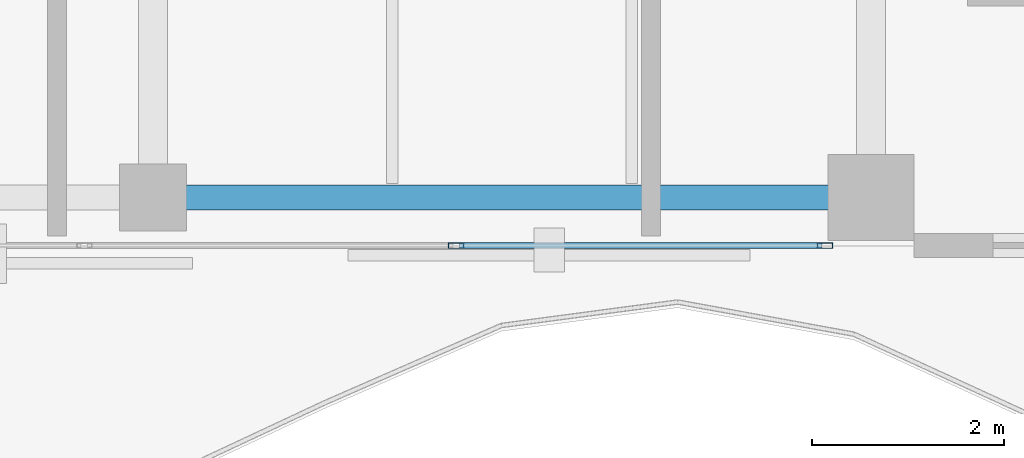
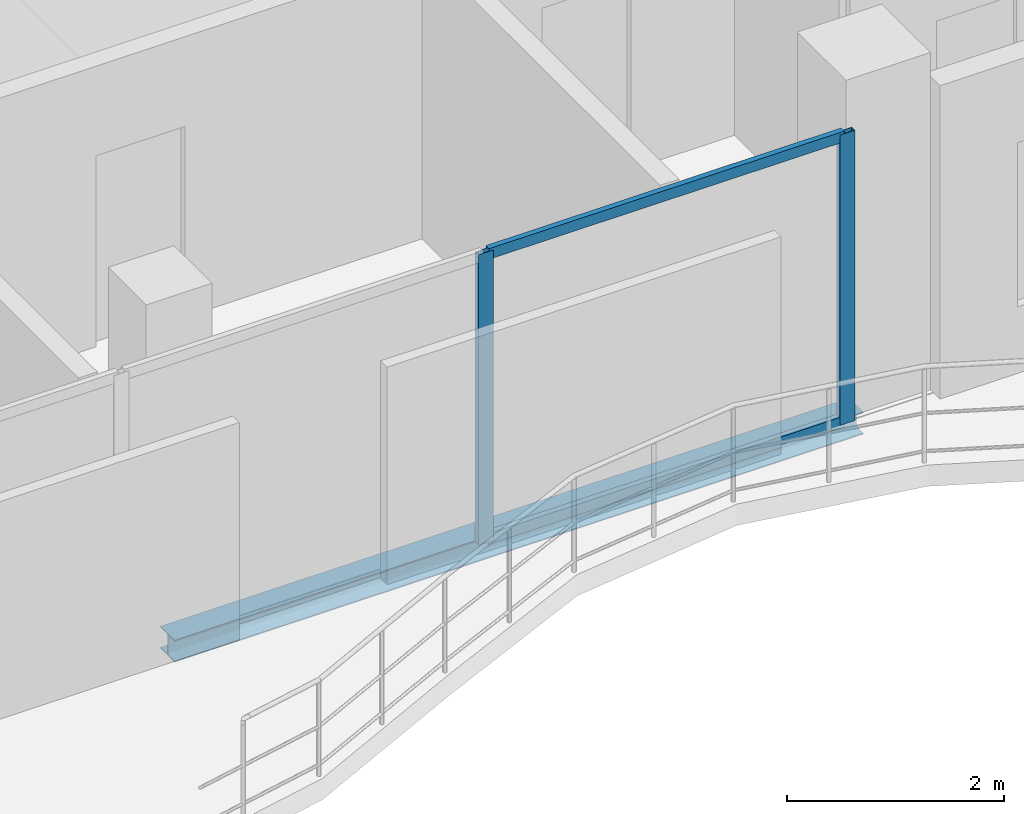
# One storey, part 6 of 17: 4 members, 1 beam, 1 element without a shape of its own.
"""IFC4 building model written with IfcOpenShell, lengths in metres."""

from ifc_helpers import new_model, si_unit, direction, frame, origin, origin_2d, place, context, subcontext, project, spatial, hollow_rectangle, i_section, extrude, material, layer, layer_set, material_profile, profile_set, type_object, element, aggregate, save


model = new_model("IFC4")

# Units and contexts
model_context = context("Model", 3, precision=1e-05, world=origin(), true_north=direction((0.0, 1.0)))
body_context = subcontext(model_context, "Body", "Model", "MODEL_VIEW")
ifc_project = project(units=[si_unit("LENGTHUNIT", "METRE"), si_unit("AREAUNIT", "SQUARE_METRE"), si_unit("VOLUMEUNIT", "CUBIC_METRE"), si_unit("PLANEANGLEUNIT", "RADIAN"), si_unit("MASSUNIT", "GRAM", prefix="KILO")], contexts=[model_context])

# Site, building, storey
site_placement = place(None, origin())
site = spatial("IfcSite", under=ifc_project, at=site_placement, CompositionType="ELEMENT")
building_placement = place(site_placement, origin())
building = spatial("IfcBuilding", under=site, at=building_placement, Name="Catumbela Crestline Tower", CompositionType="ELEMENT")
storey_placement = place(building_placement, frame((0.0, 0.0, 271.6)))
storey = spatial("IfcBuildingStorey", under=building, at=storey_placement, Name="L70", CompositionType="ELEMENT", Elevation=271.6)

# Curtain wall, members
ifc_material_1 = material(Name="Aluminium alloy AW-6060-T66", Category="aluminium")
ifc_layer = layer(ifc_material_1, 0.18, Name="Aluminium alloy AW-6060-T66")
ifc_layer_set = layer_set([ifc_layer], Name="Aluminium alloy AW-6060-T66")
curtain_wall_type = type_object("IfcCurtainWallType", Name="CWU-Z4", PredefinedType="USERDEFINED", material=ifc_layer_set)
curtain_wall_placement = place(storey_placement, origin())
curtain_wall = element("IfcCurtainWall", 1, at=curtain_wall_placement, inside=storey, type_object=curtain_wall_type, Name="L70 Unitised Curtain Wall CW-L70-E3S2", ObjectType="UNITISED", PredefinedType="USERDEFINED")
ifc_material_profile_1 = material_profile(ifc_material_1, hollow_rectangle(XDim=0.06, YDim=0.16, WallThickness=0.004, at=origin_2d()), Name="ALU 160x60x4")
ifc_profile_set_1 = profile_set([ifc_material_profile_1], Name="Aluminium alloy AW-6060-T66")
member_type_1 = type_object("IfcMemberType", Name="MUL-160X60", PredefinedType="MULLION", material=ifc_profile_set_1)
member_1_placement = place(storey_placement, frame((35.1667, 24.0, 0.0), z_axis=(0.0, 0.0, 1.0), x_axis=(0.0, 1.0, 0.0)))
member_1 = element("IfcMember", 2, at=member_1_placement, type_object=member_type_1, Name="CWU-Z4 mullion 3", PredefinedType="MULLION", context=body_context, shape_type="SweptSolid", body=[
    extrude(hollow_rectangle(XDim=0.06, YDim=0.16, WallThickness=0.004, at=origin_2d()), origin(), (0.0, 0.0, 1.0), 3.27),
])
member_2_placement = place(storey_placement, frame((39.0175, 24.0, 0.0), z_axis=(0.0, 0.0, 1.0), x_axis=(0.0, 1.0, 0.0)))
member_2 = element("IfcMember", 3, at=member_2_placement, type_object=member_type_1, Name="CWU-Z4 mullion 4", PredefinedType="MULLION", context=body_context, shape_type="SweptSolid", body=[
    extrude(hollow_rectangle(XDim=0.06, YDim=0.16, WallThickness=0.004, at=origin_2d()), origin(), (0.0, 0.0, 1.0), 3.27),
])

# Beam
ifc_material_2 = material(Name="Structural steel S355J2", Category="steel")
ifc_material_profile_2 = material_profile(ifc_material_2, i_section(OverallWidth=0.26, OverallDepth=0.25, WebThickness=0.0075, FlangeThickness=0.0125, FilletRadius=0.024, at=origin_2d()), Name="HEA 260")
ifc_profile_set_2 = profile_set([ifc_material_profile_2], Name="Structural steel S355J2")
beam_type = type_object("IfcBeamType", Name="BS-HEA260", PredefinedType="SPANDREL", material=ifc_profile_set_2)
beam_placement = place(storey_placement, frame((32.08, 24.5, -0.385), z_axis=(1.0, 0.0, 0.0), x_axis=(0.0, 1.0, 0.0)))
element("IfcBeam", 4, at=beam_placement, inside=storey, type_object=beam_type, Name="L70 Spandrel SP-L70-S03", PredefinedType="SPANDREL", context=body_context, shape_type="SweptSolid", body=[
    extrude(i_section(OverallWidth=0.26, OverallDepth=0.25, WebThickness=0.0075, FlangeThickness=0.0125, FilletRadius=0.024, at=origin_2d()), origin(), (0.0, 0.0, 1.0), 7.34),
])

# Member
ifc_material_profile_3 = material_profile(ifc_material_1, hollow_rectangle(XDim=0.06, YDim=0.12, WallThickness=0.0035, at=origin_2d()), Name="ALU 120x60x3.5")
ifc_profile_set_3 = profile_set([ifc_material_profile_3], Name="Aluminium alloy AW-6060-T66")
member_type_2 = type_object("IfcMemberType", Name="TRN-120X60", PredefinedType="USERDEFINED", material=ifc_profile_set_3)
member_3_placement = place(storey_placement, frame((35.1992, 24.0, 0.03), z_axis=(1.0, 0.0, 0.0), x_axis=(0.0, 1.0, 0.0)))
member_3 = element("IfcMember", 5, at=member_3_placement, type_object=member_type_2, Name="CWU-Z4 transom 3.1", ObjectType="TRANSOM", PredefinedType="USERDEFINED", context=body_context, shape_type="SweptSolid", body=[
    extrude(hollow_rectangle(XDim=0.06, YDim=0.12, WallThickness=0.0035, at=origin_2d()), origin(), (0.0, 0.0, 1.0), 3.7858),
])

member_4_placement = place(storey_placement, frame((35.1992, 24.0, 3.24), z_axis=(1.0, 0.0, 0.0), x_axis=(0.0, 1.0, 0.0)))
member_4 = element("IfcMember", 6, at=member_4_placement, type_object=member_type_2, Name="CWU-Z4 transom 3.2", ObjectType="TRANSOM", PredefinedType="USERDEFINED", context=body_context, shape_type="SweptSolid", body=[
    extrude(hollow_rectangle(XDim=0.06, YDim=0.12, WallThickness=0.0035, at=origin_2d()), origin(), (0.0, 0.0, 1.0), 3.7858),
])

aggregate(curtain_wall, [member_1, member_2, member_3, member_4])

save(model, "model.ifc")
